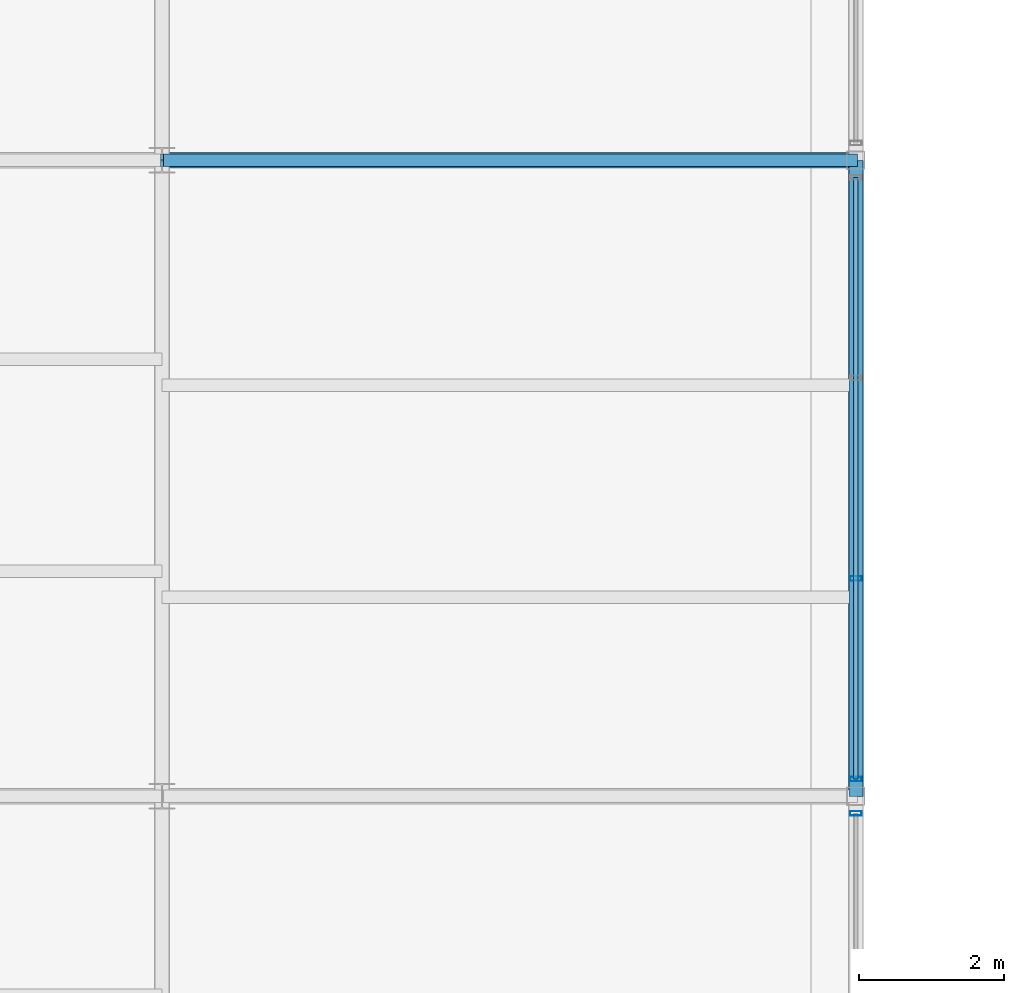
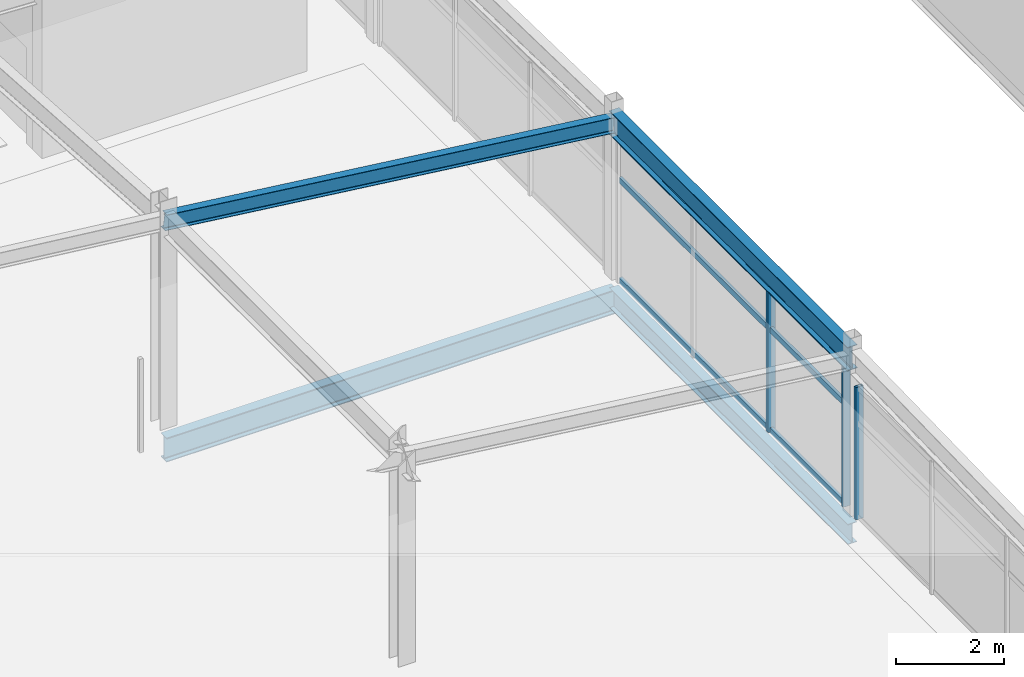
# One storey, part 25 of 114: 7 members, 3 beams, 2 elements without a shape of their own.
"""IFC4 building model written with IfcOpenShell, lengths in metres."""

from ifc_helpers import new_model, si_unit, direction, frame, origin, origin_2d, place, context, subcontext, project, spatial, hollow_rectangle, i_section, extrude, material, layer, layer_set, material_profile, profile_set, type_object, element, aggregate, save


model = new_model("IFC4")

# Units and contexts
model_context = context("Model", 3, precision=1e-05, world=origin(), true_north=direction((0.0, 1.0)))
body_context = subcontext(model_context, "Body", "Model", "MODEL_VIEW")
ifc_project = project(units=[si_unit("LENGTHUNIT", "METRE"), si_unit("AREAUNIT", "SQUARE_METRE"), si_unit("VOLUMEUNIT", "CUBIC_METRE"), si_unit("PLANEANGLEUNIT", "RADIAN"), si_unit("MASSUNIT", "GRAM", prefix="KILO")], contexts=[model_context])

# Site, building, storey
site_placement = place(None, origin())
site = spatial("IfcSite", under=ifc_project, at=site_placement, CompositionType="ELEMENT")
building_placement = place(site_placement, origin())
building = spatial("IfcBuilding", under=site, at=building_placement, Name="Chalmorin Arch Market", CompositionType="ELEMENT")
storey_placement = place(building_placement, frame((0.0, 0.0, 9.60009765625)))
storey = spatial("IfcBuildingStorey", under=building, at=storey_placement, Name="L02", CompositionType="ELEMENT", Elevation=9.60009765625)

# Curtain wall, member
ifc_material_1 = material(Name="Aluminium 6063-T6", Category="aluminium")
ifc_layer_1 = layer(ifc_material_1, 0.159912109375)
ifc_layer_set_1 = layer_set([ifc_layer_1], Name="Aluminium 6063-T6")
curtain_wall_type_1 = type_object("IfcCurtainWallType", Name="RiverfrontStorefrontCurtainWall-CW2-8330x2990", PredefinedType="NOTDEFINED", material=ifc_layer_set_1)
curtain_wall_1_placement = place(storey_placement, origin())
curtain_wall_1 = element("IfcCurtainWall", 1, at=curtain_wall_1_placement, inside=storey, type_object=curtain_wall_type_1, Name="CW-02-100", PredefinedType="NOTDEFINED")
ifc_material_profile_1 = material_profile(ifc_material_1, hollow_rectangle(XDim=0.06494140625, YDim=0.159912109375, WallThickness=0.00390625, at=origin_2d()), Name="ALU65X160X4")
ifc_profile_set_1 = profile_set([ifc_material_profile_1], Name="Aluminium 6063-T6")
member_type_1 = type_object("IfcMemberType", Name="CurtainWallMullion-65x160", PredefinedType="MULLION", material=ifc_profile_set_1)
member_1_placement = place(storey_placement, frame((38.39990234375, 23.363037109375, 0.0), z_axis=(0.0, 0.0, 1.0), x_axis=(0.0, 1.0, 0.0)))
member_1 = element("IfcMember", 2, at=member_1_placement, type_object=member_type_1, Name="ML-100-04", PredefinedType="MULLION", context=body_context, shape_type="SweptSolid", body=[
    extrude(hollow_rectangle(XDim=0.06494140625, YDim=0.159912109375, WallThickness=0.00390625, at=origin_2d()), origin(), (0.0, 0.0, 1.0), 2.9873046875),
])
aggregate(curtain_wall_1, [member_1])

# Curtain wall, members
ifc_layer_2 = layer(ifc_material_1, 0.159912109375)
ifc_layer_set_2 = layer_set([ifc_layer_2], Name="Aluminium 6063-T6")
curtain_wall_type_2 = type_object("IfcCurtainWallType", Name="RiverfrontStorefrontCurtainWall-CW2-8330x3190", PredefinedType="NOTDEFINED", material=ifc_layer_set_2)
curtain_wall_2_placement = place(storey_placement, origin())
curtain_wall_2 = element("IfcCurtainWall", 3, at=curtain_wall_2_placement, inside=storey, type_object=curtain_wall_type_2, Name="CW-02-102", PredefinedType="NOTDEFINED")
member_2_placement = place(storey_placement, frame((38.39990234375, 23.8369140625, 0.0), z_axis=(0.0, 0.0, 1.0), x_axis=(0.0, 1.0, 0.0)))
member_2 = element("IfcMember", 4, at=member_2_placement, type_object=member_type_1, Name="ML-102-01", PredefinedType="MULLION", context=body_context, shape_type="SweptSolid", body=[
    extrude(hollow_rectangle(XDim=0.06494140625, YDim=0.159912109375, WallThickness=0.00390625, at=origin_2d()), origin(), (0.0, 0.0, 1.0), 3.19140625),
])
member_3_placement = place(storey_placement, frame((38.39990234375, 26.6123046875, 0.0), z_axis=(0.0, 0.0, 1.0), x_axis=(0.0, 1.0, 0.0)))
member_3 = element("IfcMember", 5, at=member_3_placement, type_object=member_type_1, Name="ML-102-02", PredefinedType="MULLION", context=body_context, shape_type="SweptSolid", body=[
    extrude(hollow_rectangle(XDim=0.06494140625, YDim=0.159912109375, WallThickness=0.00390625, at=origin_2d()), origin(), (0.0, 0.0, 1.0), 3.19140625),
])
ifc_material_profile_2 = material_profile(ifc_material_1, hollow_rectangle(XDim=0.06494140625, YDim=0.1298828125, WallThickness=0.00390625, at=origin_2d()), Name="ALU65X130X4")
ifc_profile_set_2 = profile_set([ifc_material_profile_2], Name="Aluminium 6063-T6")
member_type_2 = type_object("IfcMemberType", Name="CurtainWallTransom-65x130", PredefinedType="USERDEFINED", material=ifc_profile_set_2)
member_4_placement = place(storey_placement, frame((38.39990234375, 23.8369140625, 0.034912109375), z_axis=(0.0, 1.0, 0.0), x_axis=(-1.0, 0.0, 0.0)))
member_4 = element("IfcMember", 6, at=member_4_placement, type_object=member_type_2, Name="TR-102-01", ObjectType="TRANSOM", PredefinedType="USERDEFINED", context=body_context, shape_type="SweptSolid", body=[
    extrude(hollow_rectangle(XDim=0.06494140625, YDim=0.1298828125, WallThickness=0.00390625, at=origin_2d()), origin(), (0.0, 0.0, 1.0), 8.326171875),
])
member_5_placement = place(storey_placement, frame((38.39990234375, 23.8369140625, 2.2978515625), z_axis=(0.0, 1.0, 0.0), x_axis=(-1.0, 0.0, 0.0)))
member_5 = element("IfcMember", 7, at=member_5_placement, type_object=member_type_2, Name="TR-102-02", ObjectType="TRANSOM", PredefinedType="USERDEFINED", context=body_context, shape_type="SweptSolid", body=[
    extrude(hollow_rectangle(XDim=0.06494140625, YDim=0.1298828125, WallThickness=0.00390625, at=origin_2d()), origin(), (0.0, 0.0, 1.0), 8.326171875),
])
member_6_placement = place(storey_placement, frame((38.39990234375, 23.8369140625, 3.156494140625), z_axis=(0.0, 1.0, 0.0), x_axis=(-1.0, 0.0, 0.0)))
member_6 = element("IfcMember", 8, at=member_6_placement, type_object=member_type_2, Name="TR-102-03", ObjectType="TRANSOM", PredefinedType="USERDEFINED", context=body_context, shape_type="SweptSolid", body=[
    extrude(hollow_rectangle(XDim=0.06494140625, YDim=0.1298828125, WallThickness=0.00390625, at=origin_2d()), origin(), (0.0, 0.0, 1.0), 8.326171875),
])
aggregate(curtain_wall_2, [member_2, member_3, member_4, member_5, member_6])

# Beams
ifc_material_2 = material(Name="Steel A992 Grade 50", Category="steel")
ifc_material_profile_3 = material_profile(ifc_material_2, i_section(OverallWidth=0.19091796875, OverallDepth=0.45703125, WebThickness=0.009033203125, FlangeThickness=0.014404296875, FilletRadius=0.02001953125, at=origin_2d()), Name="W18X50")
ifc_profile_set_3 = profile_set([ifc_material_profile_3], Name="Steel A992 Grade 50")
beam_type_1 = type_object("IfcBeamType", Name="PerimeterSpandrelBeam-W18X50", PredefinedType="SPANDREL", material=ifc_profile_set_3)
beam_1_placement = place(storey_placement, frame((38.39990234375, 23.60009765625, -0.480712890625), z_axis=(0.0, 1.0, 0.0), x_axis=(-1.0, 0.0, 0.0)))
element("IfcBeam", 9, at=beam_1_placement, inside=storey, type_object=beam_type_1, Name="SP-W18-1178", PredefinedType="SPANDREL", context=body_context, shape_type="SweptSolid", body=[
    extrude(i_section(OverallWidth=0.19091796875, OverallDepth=0.45703125, WebThickness=0.009033203125, FlangeThickness=0.014404296875, FilletRadius=0.02001953125, at=origin_2d()), origin(), (0.0, 0.0, 1.0), 8.7998046875),
])
ifc_material_profile_4 = material_profile(ifc_material_2, i_section(OverallWidth=0.208984375, OverallDepth=0.532958984375, WebThickness=0.01025390625, FlangeThickness=0.015625, FilletRadius=0.02197265625, at=origin_2d()), Name="W21X62")
ifc_profile_set_4 = profile_set([ifc_material_profile_4], Name="Steel A992 Grade 50")
beam_type_2 = type_object("IfcBeamType", Name="PrimarySteelGirder-W21X62", PredefinedType="BEAM", material=ifc_profile_set_4)
beam_2_placement = place(storey_placement, frame((38.39990234375, 23.60009765625, 3.472900390625), z_axis=(0.0, 0.99999994458, 0.000332926405), x_axis=(-1.0, 0.0, 0.0)))
element("IfcBeam", 10, at=beam_2_placement, inside=storey, type_object=beam_type_2, Name="BG-W21B-1542", PredefinedType="BEAM", context=body_context, shape_type="SweptSolid", body=[
    extrude(i_section(OverallWidth=0.208984375, OverallDepth=0.532958984375, WebThickness=0.01025390625, FlangeThickness=0.015625, FilletRadius=0.02197265625, at=origin_2d()), origin(), (0.0, 0.0, 1.0), 8.7998046875),
])
ifc_material_profile_5 = material_profile(ifc_material_2, i_section(OverallWidth=0.2119140625, OverallDepth=0.5439453125, WebThickness=0.01318359375, FlangeThickness=0.021240234375, FilletRadius=0.02197265625, at=origin_2d()), Name="W21X83")
ifc_profile_set_5 = profile_set([ifc_material_profile_5], Name="Steel A992 Grade 50")
beam_type_3 = type_object("IfcBeamType", Name="PrimarySteelGirder-W21X83", PredefinedType="BEAM", material=ifc_profile_set_5)
beam_3_placement = place(storey_placement, frame((28.800048828125, 32.39990234375, -0.524169921875), z_axis=(1.0, 0.0, 0.0), x_axis=(0.0, 1.0, 0.0)))
element("IfcBeam", 11, at=beam_3_placement, inside=storey, type_object=beam_type_3, Name="BG-W21A-1177", PredefinedType="BEAM", context=body_context, shape_type="SweptSolid", body=[
    extrude(i_section(OverallWidth=0.2119140625, OverallDepth=0.5439453125, WebThickness=0.01318359375, FlangeThickness=0.021240234375, FilletRadius=0.02197265625, at=origin_2d()), origin(), (0.0, 0.0, 1.0), 9.599853515625),
])

# Member
ifc_material_profile_6 = material_profile(ifc_material_2, i_section(OverallWidth=0.1708984375, OverallDepth=0.35107421875, WebThickness=0.0068359375, FlangeThickness=0.009765625, FilletRadius=0.014892578125, at=origin_2d()), Name="W14X30")
ifc_profile_set_6 = profile_set([ifc_material_profile_6], Name="Steel A992 Grade 50")
member_type_3 = type_object("IfcMemberType", Name="RoofSteelPurlin-W14X30", PredefinedType="PURLIN", material=ifc_profile_set_6)
member_7_placement = place(storey_placement, frame((28.800048828125, 32.39990234375, 4.5869140625), z_axis=(0.992887349156, 0.0, -0.119057599025), x_axis=(0.0, 1.0, 0.0)))
element("IfcMember", 12, at=member_7_placement, inside=storey, type_object=member_type_3, Name="PR-W14-0027", PredefinedType="PURLIN", context=body_context, shape_type="SweptSolid", body=[
    extrude(i_section(OverallWidth=0.1708984375, OverallDepth=0.35107421875, WebThickness=0.0068359375, FlangeThickness=0.009765625, FilletRadius=0.014892578125, at=origin_2d()), origin(), (0.0, 0.0, 1.0), 9.668701171875),
])

save(model, "model.ifc")
